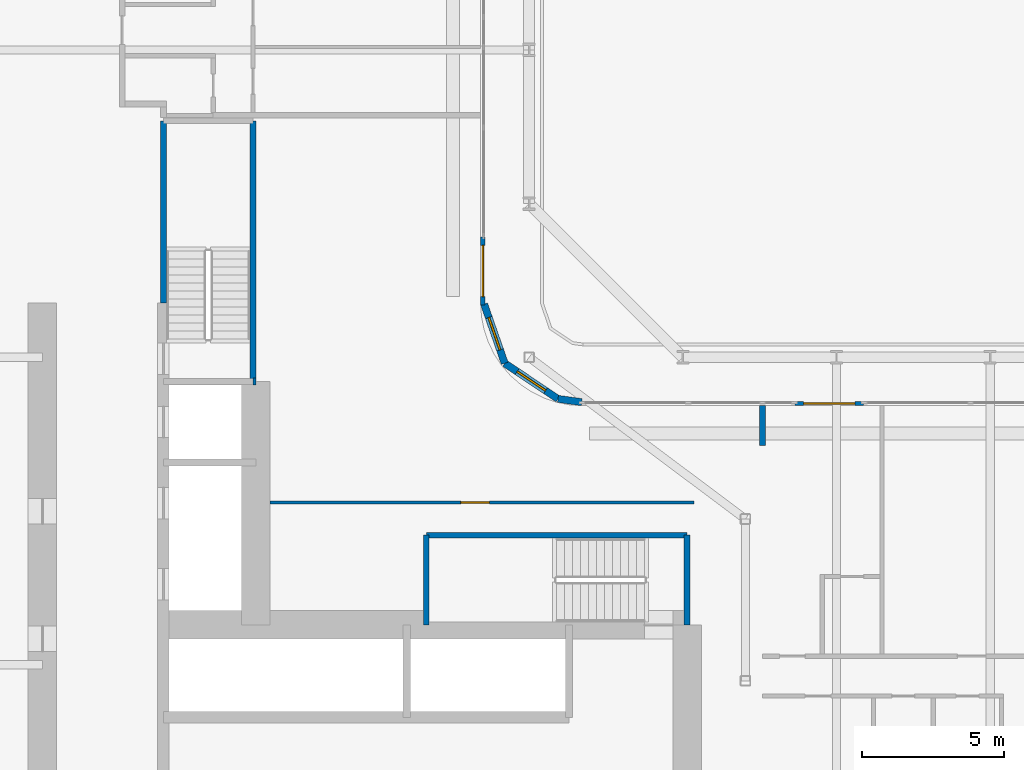
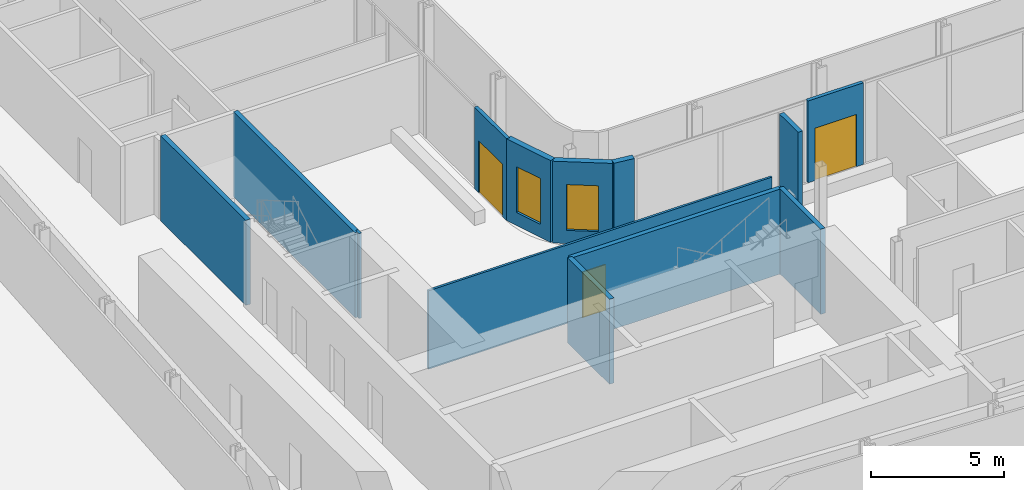
# One storey, part 13 of 27: 13 walls, 3 doors, 2 windows, 5 openings.
"""IFC4 building model written with IfcOpenShell, lengths in metres."""

from ifc_helpers import new_model, si_unit, direction, frame, frame_2d, origin, place, context, subcontext, project, spatial, rectangle, extrude, source, transform, mapped, material, layer, layer_set, type_object, element, fill, save


model = new_model("IFC4")

# Units and contexts
model_context = context("Model", 3, precision=1e-05, world=origin(), true_north=direction((0.0, 1.0)))
body_context = subcontext(model_context, "Body", "Model", "MODEL_VIEW")
ifc_project = project(units=[si_unit("LENGTHUNIT", "METRE"), si_unit("AREAUNIT", "SQUARE_METRE"), si_unit("VOLUMEUNIT", "CUBIC_METRE"), si_unit("PLANEANGLEUNIT", "RADIAN"), si_unit("MASSUNIT", "GRAM", prefix="KILO")], contexts=[model_context])

# Site, building, storey
site_placement = place(None, origin())
site = spatial("IfcSite", under=ifc_project, at=site_placement, CompositionType="ELEMENT")
building_placement = place(site_placement, origin())
building = spatial("IfcBuilding", under=site, at=building_placement, Name="Kheshtan School and Residences Tower", CompositionType="ELEMENT")
storey_placement = place(building_placement, frame((0.0, 0.0, 30.5)))
storey = spatial("IfcBuildingStorey", under=building, at=storey_placement, Name="L06", CompositionType="ELEMENT", Elevation=30.5)

# Wall, opening, window
ifc_material_1 = material(Name="Concrete C40/50 with ceramic cladding and mineral wool insulation", Category="concrete")
ifc_layer_1 = layer(ifc_material_1, 0.25)
ifc_layer_set_1 = layer_set([ifc_layer_1], Name="External wall 250 ceramic clad")
wall_type_1 = type_object("IfcWallType", Name="External wall 250 ceramic clad", PredefinedType="SOLIDWALL", material=ifc_layer_set_1)
wall_1_placement = place(storey_placement, frame((46.01806640625, 47.470947265625, 0.0), z_axis=(0.0, 0.0, 1.0), x_axis=(0.328791208903, -0.944402637093, 0.0)))
wall_1 = element("IfcWall", 1, at=wall_1_placement, inside=storey, type_object=wall_type_1, Name="External wall L06 9", PredefinedType="SOLIDWALL", context=body_context, shape_type="SweptSolid", body=[
    extrude(rectangle(XDim=2.20458984375, YDim=0.25, at=frame_2d((1.102294921875, 0.0))), origin(), (0.0, 0.0, 1.0), 3.75),
])
opening_1_placement = place(wall_1_placement, frame((0.5029296875, 0.0, 0.60009765625)))
opening_1 = element("IfcOpeningElement", 2, at=opening_1_placement, cuts=wall_1, Name="Opening WN-E", PredefinedType="OPENING", context=body_context, shape_type="SweptSolid", body=[
    extrude(rectangle(XDim=1.199951171875, YDim=2.10009765625, at=frame_2d((0.60009765625, 1.050048828125))), frame((0.0, 0.135009765625, 0.0), z_axis=(0.0, -1.0, 0.0), x_axis=(1.0, 0.0, 0.0)), (0.0, 0.0, 1.0), 0.27001953125),
])
ifc_material_2 = material(Name="Clear low-e glass in thermally broken aluminium frame", Category="aluminium")
window_type = type_object("IfcWindowType", Name="Window WN-E", PartitioningType="SINGLE_PANEL", PredefinedType="WINDOW", material=ifc_material_2)
shared_shape_1 = source(origin(), body_context, "Body", "SweptSolid", [
    extrude(rectangle(XDim=1.199951171875, YDim=2.10009765625, at=frame_2d((0.60009765625, 1.050048828125))), frame((0.0, 0.030029296875, 0.0), z_axis=(0.0, -1.0, 0.0), x_axis=(1.0, 0.0, 0.0)), (0.0, 0.0, 1.0), 0.06005859375),
])
window_1_placement = place(opening_1_placement, origin())
window_1 = element("IfcWindow", 3, at=window_1_placement, inside=storey, type_object=window_type, Name="Window L06 9", OverallHeight=2.10009765625, OverallWidth=1.199951171875, PartitioningType="SINGLE_PANEL", PredefinedType="WINDOW", context=body_context, shape_type="MappedRepresentation", body=[
    mapped(shared_shape_1, transform((0.0, 0.0, 0.0), x_axis=(1.0, 0.0, 0.0), y_axis=(0.0, 1.0, 0.0), z_axis=(0.0, 0.0, 1.0), scale=1.0)),
])
fill(opening_1, window_1)

wall_2_placement = place(storey_placement, frame((46.742919921875, 45.388916015625, 0.0), z_axis=(0.0, 0.0, 1.0), x_axis=(0.831449265529, -0.555600682912, 0.0)))
wall_2 = element("IfcWall", 4, at=wall_2_placement, inside=storey, type_object=wall_type_1, Name="External wall L06 10", PredefinedType="SOLIDWALL", context=body_context, shape_type="SweptSolid", body=[
    extrude(rectangle(XDim=2.25146484375, YDim=0.25, at=frame_2d((1.125732421875, 0.0))), origin(), (0.0, 0.0, 1.0), 3.75),
])
opening_2_placement = place(wall_2_placement, frame((0.52490234375, 0.0, 0.60009765625)))
opening_2 = element("IfcOpeningElement", 5, at=opening_2_placement, cuts=wall_2, Name="Opening WN-E", PredefinedType="OPENING", context=body_context, shape_type="SweptSolid", body=[
    extrude(rectangle(XDim=1.199951171875, YDim=2.10009765625, at=frame_2d((0.60009765625, 1.050048828125))), frame((0.0, 0.135009765625, 0.0), z_axis=(0.0, -1.0, 0.0), x_axis=(1.0, 0.0, 0.0)), (0.0, 0.0, 1.0), 0.27001953125),
])
window_2_placement = place(opening_2_placement, origin())
window_2 = element("IfcWindow", 6, at=window_2_placement, inside=storey, type_object=window_type, Name="Window L06 10", OverallHeight=2.10009765625, OverallWidth=1.199951171875, PartitioningType="SINGLE_PANEL", PredefinedType="WINDOW", context=body_context, shape_type="MappedRepresentation", body=[
    mapped(shared_shape_1, transform((0.0, 0.0, 0.0), x_axis=(1.0, 0.0, 0.0), y_axis=(0.0, 1.0, 0.0), z_axis=(0.0, 0.0, 1.0), scale=1.0)),
])
fill(opening_2, window_2)

# Wall
wall_3_placement = place(storey_placement, frame((48.614990234375, 44.137939453125, 0.0), z_axis=(0.0, 0.0, 1.0), x_axis=(0.990741504246, -0.135761819977, 0.0)))
element("IfcWall", 7, at=wall_3_placement, inside=storey, type_object=wall_type_1, Name="External wall L06 11", PredefinedType="SOLIDWALL", context=body_context, shape_type="SweptSolid", body=[
    extrude(rectangle(XDim=0.83984375, YDim=0.25, at=frame_2d((0.419921875, 0.0))), origin(), (0.0, 0.0, 1.0), 3.75),
])

# Wall, opening, door
ifc_material_3 = material(Name="Aluminium frame wall with insulated infill", Category="aluminium")
ifc_layer_2 = layer(ifc_material_3, 0.14990234375)
ifc_layer_set_2 = layer_set([ifc_layer_2], Name="Glazing frame wall 150")
wall_type_2 = type_object("IfcWallType", Name="Glazing frame wall 150", PredefinedType="SOLIDWALL", material=ifc_layer_set_2)
wall_4_placement = place(storey_placement, frame((45.97509765625, 49.830078125, 0.0), z_axis=(0.0, 0.0, 1.0), x_axis=(0.0, -1.0, 0.0)))
wall_4 = element("IfcWall", 8, at=wall_4_placement, inside=storey, type_object=wall_type_2, Name="Balcony door wall L06 8.5", PredefinedType="SOLIDWALL", context=body_context, shape_type="SweptSolid", body=[
    extrude(rectangle(XDim=2.400146484375, YDim=0.14990234375, at=frame_2d((1.2001953125, 0.0))), origin(), (0.0, 0.0, 1.0), 3.75),
])
opening_3_placement = place(wall_4_placement, frame((0.300048828125, 0.0, 0.0)))
opening_3 = element("IfcOpeningElement", 9, at=opening_3_placement, cuts=wall_4, Name="Opening BD", PredefinedType="OPENING", context=body_context, shape_type="SweptSolid", body=[
    extrude(rectangle(XDim=1.800048828125, YDim=2.39990234375, at=frame_2d((0.89990234375, 1.199951171875))), frame((0.0, 0.0849609375, 0.0), z_axis=(0.0, -1.0, 0.0), x_axis=(1.0, 0.0, 0.0)), (0.0, 0.0, 1.0), 0.169921875),
])
door_type_1 = type_object("IfcDoorType", Name="Balcony sliding door", OperationType="SLIDING_TO_LEFT", PredefinedType="DOOR", material=ifc_material_2)
shared_shape_2 = source(origin(), body_context, "Body", "SweptSolid", [
    extrude(rectangle(XDim=1.800048828125, YDim=2.39990234375, at=frame_2d((0.89990234375, 1.199951171875))), frame((0.0, 0.02490234375, 0.0), z_axis=(0.0, -1.0, 0.0), x_axis=(1.0, 0.0, 0.0)), (0.0, 0.0, 1.0), 0.050048828125),
])
door_1_placement = place(opening_3_placement, origin())
door_1 = element("IfcDoor", 10, at=door_1_placement, inside=storey, type_object=door_type_1, Name="Balcony door L06 8.5", OperationType="SLIDING_TO_LEFT", OverallHeight=2.39990234375, OverallWidth=1.800048828125, PredefinedType="DOOR", context=body_context, shape_type="MappedRepresentation", body=[
    mapped(shared_shape_2, transform((0.0, 0.0, 0.0), x_axis=(1.0, 0.0, 0.0), y_axis=(0.0, 1.0, 0.0), z_axis=(0.0, 0.0, 1.0), scale=1.0)),
])
fill(opening_3, door_1)

wall_5_placement = place(storey_placement, frame((56.947021484375, 43.97509765625, 0.0), z_axis=(0.0, 0.0, 1.0), x_axis=(1.0, 0.0, 0.0)))
wall_5 = element("IfcWall", 11, at=wall_5_placement, inside=storey, type_object=wall_type_2, Name="Balcony door wall L06 12.1", PredefinedType="SOLIDWALL", context=body_context, shape_type="SweptSolid", body=[
    extrude(rectangle(XDim=2.39990234375, YDim=0.14990234375, at=frame_2d((1.199951171875, 0.0))), origin(), (0.0, 0.0, 1.0), 3.75),
])
opening_4_placement = place(wall_5_placement, frame((0.300048828125, 0.0, 0.0)))
opening_4 = element("IfcOpeningElement", 12, at=opening_4_placement, cuts=wall_5, Name="Opening BD", PredefinedType="OPENING", context=body_context, shape_type="SweptSolid", body=[
    extrude(rectangle(XDim=1.800048828125, YDim=2.39990234375, at=frame_2d((0.89990234375, 1.199951171875))), frame((0.0, 0.0849609375, 0.0), z_axis=(0.0, -1.0, 0.0), x_axis=(1.0, 0.0, 0.0)), (0.0, 0.0, 1.0), 0.169921875),
])
door_2_placement = place(opening_4_placement, origin())
door_2 = element("IfcDoor", 13, at=door_2_placement, inside=storey, type_object=door_type_1, Name="Balcony door L06 12.1", OperationType="SLIDING_TO_LEFT", OverallHeight=2.39990234375, OverallWidth=1.800048828125, PredefinedType="DOOR", context=body_context, shape_type="MappedRepresentation", body=[
    mapped(shared_shape_2, transform((0.0, 0.0, 0.0), x_axis=(1.0, 0.0, 0.0), y_axis=(0.0, 1.0, 0.0), z_axis=(0.0, 0.0, 1.0), scale=1.0)),
])
fill(opening_4, door_2)

ifc_material_4 = material(Name="Gypsum board on steel studs", Category="steel")
ifc_layer_3 = layer(ifc_material_4, 0.10009765625)
ifc_layer_set_3 = layer_set([ifc_layer_3], Name="Gypsum partition 100")
wall_type_3 = type_object("IfcWallType", Name="Gypsum partition 100", PredefinedType="PARTITIONING", material=ifc_layer_set_3)
wall_6_placement = place(storey_placement, frame((38.4990234375, 40.5, 0.0), z_axis=(0.0, 0.0, 1.0), x_axis=(1.0, 0.0, 0.0)))
wall_6 = element("IfcWall", 14, at=wall_6_placement, inside=storey, type_object=wall_type_3, Name="Partition L06-043", PredefinedType="PARTITIONING", context=body_context, shape_type="SweptSolid", body=[
    extrude(rectangle(XDim=14.90087890625, YDim=0.10009765625, at=frame_2d((7.450439453125, 0.0))), origin(), (0.0, 0.0, 1.0), 3.60009765625),
])
opening_5_placement = place(wall_6_placement, frame((6.700927734375, 0.0, 0.0)))
opening_5 = element("IfcOpeningElement", 15, at=opening_5_placement, cuts=wall_6, Name="Opening D06-055", PredefinedType="OPENING", context=body_context, shape_type="SweptSolid", body=[
    extrude(rectangle(XDim=1.0, YDim=2.10009765625, at=frame_2d((0.5, 1.050048828125))), frame((0.0, 0.06005859375, 0.0), z_axis=(0.0, -1.0, 0.0), x_axis=(1.0, 0.0, 0.0)), (0.0, 0.0, 1.0), 0.1201171875),
])
ifc_material_5 = material(Name="Veneered timber door leaf", Category="wood")
door_type_2 = type_object("IfcDoorType", Name="Door 1000 x 2100", OperationType="SINGLE_SWING_LEFT", PredefinedType="DOOR", material=ifc_material_5)
shared_shape_3 = source(origin(), body_context, "Body", "SweptSolid", [
    extrude(rectangle(XDim=1.0, YDim=2.10009765625, at=frame_2d((0.5, 1.050048828125))), frame((0.0, 0.02490234375, 0.0), z_axis=(0.0, -1.0, 0.0), x_axis=(1.0, 0.0, 0.0)), (0.0, 0.0, 1.0), 0.050048828125),
])
door_3_placement = place(opening_5_placement, origin())
door_3 = element("IfcDoor", 16, at=door_3_placement, inside=storey, type_object=door_type_2, Name="Door D06-055", OperationType="SINGLE_SWING_RIGHT", OverallHeight=2.10009765625, OverallWidth=1.0, PredefinedType="DOOR", context=body_context, shape_type="MappedRepresentation", body=[
    mapped(shared_shape_3, transform((0.0, 0.0, 0.0), x_axis=(1.0, 0.0, 0.0), y_axis=(0.0, 1.0, 0.0), z_axis=(0.0, 0.0, 1.0), scale=1.0)),
])
fill(opening_5, door_3)

# Walls
ifc_material_6 = material(Name="Fire-board shaft wall system")
ifc_layer_4 = layer(ifc_material_6, 0.25)
ifc_layer_set_4 = layer_set([ifc_layer_4], Name="Shaft lining wall 250")
wall_type_4 = type_object("IfcWallType", Name="Shaft lining wall 250", PredefinedType="PARTITIONING", material=ifc_layer_set_4)
wall_7_placement = place(storey_placement, frame((37.89990234375, 44.75, 0.0), z_axis=(0.0, 0.0, 1.0), x_axis=(1.0, 0.0, 0.0)))
element("IfcWall", 17, at=wall_7_placement, inside=storey, type_object=wall_type_4, Name="Shaft lining wall", PredefinedType="PARTITIONING", context=body_context, shape_type="SweptSolid", body=[
    extrude(rectangle(XDim=0.10009765625, YDim=0.25, at=frame_2d((0.050048828125, 0.0))), origin(), (0.0, 0.0, 1.0), 3.89990234375),
])
ifc_material_7 = material(Name="Concrete C40/50", Category="concrete")
ifc_layer_5 = layer(ifc_material_7, 0.199951171875)
ifc_layer_set_5 = layer_set([ifc_layer_5], Name="Stair enclosure wall 200 Concrete C40/50")
wall_type_5 = type_object("IfcWallType", Name="Stair enclosure wall 200 Concrete C40/50", PredefinedType="SHEAR", material=ifc_layer_set_5)
wall_8_placement = place(storey_placement, frame((43.989990234375, 39.35009765625, 0.0), z_axis=(0.0, 0.0, 1.0), x_axis=(1.0, 0.0, 0.0)))
element("IfcWall", 18, at=wall_8_placement, inside=storey, type_object=wall_type_5, Name="Stair enclosure wall ST1", PredefinedType="SHEAR", context=body_context, shape_type="SweptSolid", body=[
    extrude(rectangle(XDim=9.159912109375, YDim=0.199951171875, at=frame_2d((4.580078125, 0.0))), origin(), (0.0, 0.0, 1.0), 3.89990234375),
])
for number, where, z_axis, x_axis, name in (
    (19, (43.989990234375, 36.199951171875, 0.0), (0.0, 0.0, 1.0), (0.0, 1.0, 0.0), "Stair enclosure wall ST1"),
    (20, (53.14990234375, 36.199951171875, 0.0), (0.0, 0.0, 1.0), (0.0, 1.0, 0.0), "Stair enclosure wall ST1"),
):
    element("IfcWall", number, at=place(storey_placement, frame(where, z_axis=z_axis, x_axis=x_axis)), inside=storey, type_object=wall_type_5, Name=name, PredefinedType="SHEAR", context=body_context, shape_type="SweptSolid", body=[
        extrude(rectangle(XDim=3.150146484375, YDim=0.199951171875, at=frame_2d((1.5751953125, 0.0))), origin(), (0.0, 0.0, 1.0), 3.89990234375),
    ])
wall_9_placement = place(storey_placement, frame((34.75, 47.5, 0.0), z_axis=(0.0, 0.0, 1.0), x_axis=(0.0, 1.0, 0.0)))
element("IfcWall", 21, at=wall_9_placement, inside=storey, type_object=wall_type_5, Name="Stair enclosure wall ST2", PredefinedType="SHEAR", context=body_context, shape_type="SweptSolid", body=[
    extrude(rectangle(XDim=6.409912109375, YDim=0.199951171875, at=frame_2d((3.205078125, 0.0))), origin(), (0.0, 0.0, 1.0), 3.89990234375),
])
wall_10_placement = place(storey_placement, frame((37.89990234375, 44.75, 0.0), z_axis=(0.0, 0.0, 1.0), x_axis=(0.0, 1.0, 0.0)))
element("IfcWall", 22, at=wall_10_placement, inside=storey, type_object=wall_type_5, Name="Stair enclosure wall ST2", PredefinedType="SHEAR", context=body_context, shape_type="SweptSolid", body=[
    extrude(rectangle(XDim=9.159912109375, YDim=0.199951171875, at=frame_2d((4.580078125, 0.0))), origin(), (0.0, 0.0, 1.0), 3.89990234375),
])
ifc_material_8 = material(Name="Twin gypsum board on steel studs with mineral wool", Category="steel")
ifc_layer_6 = layer(ifc_material_8, 0.199951171875)
ifc_layer_set_6 = layer_set([ifc_layer_6], Name="Unit demising wall 200")
wall_type_6 = type_object("IfcWallType", Name="Unit demising wall 200", PredefinedType="PARTITIONING", material=ifc_layer_set_6)
wall_11_placement = place(storey_placement, frame((55.800048828125, 42.5, 0.0), z_axis=(0.0, 0.0, 1.0), x_axis=(0.0, 1.0, 0.0)))
element("IfcWall", 23, at=wall_11_placement, inside=storey, type_object=wall_type_6, Name="Partition L06-048", PredefinedType="PARTITIONING", context=body_context, shape_type="SweptSolid", body=[
    extrude(rectangle(XDim=1.39990234375, YDim=0.199951171875, at=frame_2d((0.699951171875, 0.0))), origin(), (0.0, 0.0, 1.0), 3.60009765625),
])

save(model, "model.ifc")
